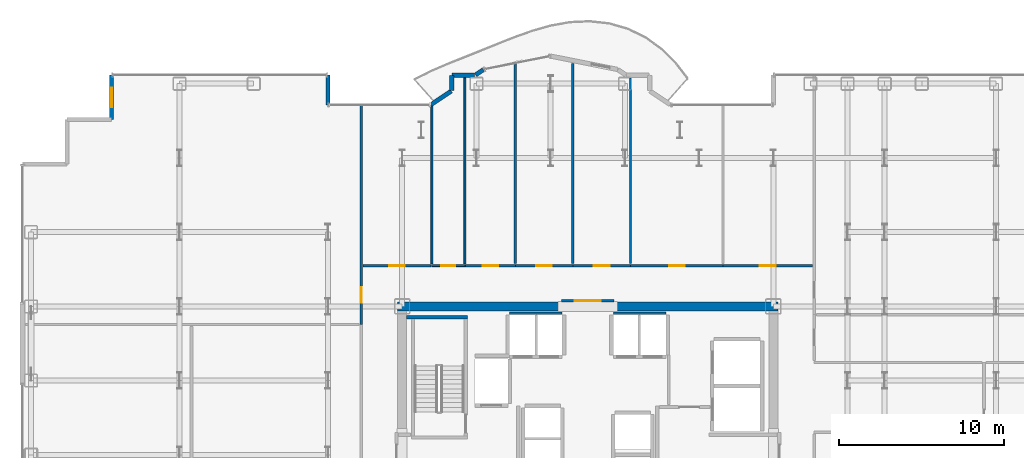
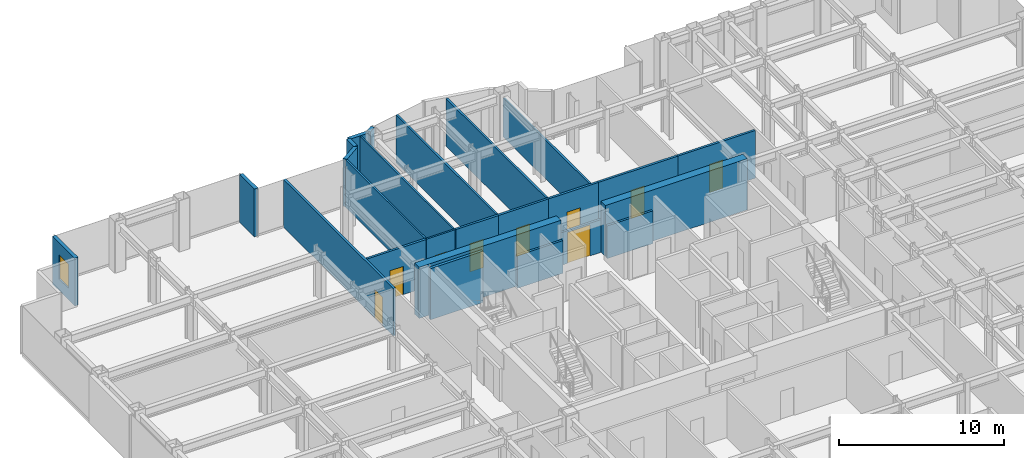
# One storey, part 26 of 29: 25 walls, 9 doors, 1 window, 10 openings.
"""IFC4 building model written with IfcOpenShell, lengths in metres."""

from ifc_helpers import new_model, si_unit, direction, frame, frame_2d, origin, place, context, subcontext, project, spatial, rectangle, extrude, source, transform, mapped, material, layer, layer_set, type_object, element, fill, save


model = new_model("IFC4")

# Units and contexts
model_context = context("Model", 3, precision=1e-05, world=origin(), true_north=direction((0.0, 1.0)))
body_context = subcontext(model_context, "Body", "Model", "MODEL_VIEW")
ifc_project = project(units=[si_unit("LENGTHUNIT", "METRE"), si_unit("AREAUNIT", "SQUARE_METRE"), si_unit("VOLUMEUNIT", "CUBIC_METRE"), si_unit("PLANEANGLEUNIT", "RADIAN"), si_unit("MASSUNIT", "GRAM", prefix="KILO")], contexts=[model_context])

# Site, building, storey
site_placement = place(None, origin())
site = spatial("IfcSite", under=ifc_project, at=site_placement, CompositionType="ELEMENT")
building_placement = place(site_placement, origin())
building = spatial("IfcBuilding", under=site, at=building_placement, Name="Nefas-Gora Pilgrimage Tower", CompositionType="ELEMENT")
storey_placement = place(building_placement, frame((0.0, 0.0, 136.39990234375)))
storey = spatial("IfcBuildingStorey", under=building, at=storey_placement, Name="L33", CompositionType="ELEMENT", Elevation=136.39990234375)

# Walls
ifc_material_1 = material(Name="Concrete C60/75", Category="concrete")
ifc_layer_1 = layer(ifc_material_1, 0.550048828125)
ifc_layer_set_1 = layer_set([ifc_layer_1], Name="Concrete C60/75")
wall_type_1 = type_object("IfcWallType", Name="SW-CORE-550", PredefinedType="SHEAR", material=ifc_layer_set_1)
shared_shape_1 = source(origin(), body_context, "Body", "SweptSolid", [
    extrude(rectangle(XDim=9.974853515625, YDim=0.550048828125, at=frame_2d((4.9873046875, 0.0))), origin(), (0.0, 0.0, 1.0), 3.800048828125),
])
for number, where, z_axis, x_axis, name in (
    (1, (-11.52490234375, 9.0, 0.0), (0.0, 0.0, 1.0), (1.0, 0.0, 0.0), "L33 Core Shear Wall N-West"),
    (2, (1.550048828125, 9.0, 0.0), (0.0, 0.0, 1.0), (1.0, 0.0, 0.0), "L33 Core Shear Wall N-East"),
):
    element("IfcWall", number, at=place(storey_placement, frame(where, z_axis=z_axis, x_axis=x_axis)), inside=storey, type_object=wall_type_1, Name=name, PredefinedType="SHEAR", context=body_context, shape_type="MappedRepresentation", body=[
        mapped(shared_shape_1, transform((0.0, 0.0, 0.0), x_axis=(1.0, 0.0, 0.0), y_axis=(0.0, 1.0, 0.0), z_axis=(0.0, 0.0, 1.0), scale=1.0)),
    ])
ifc_material_2 = material(Name="Precast concrete C40/50", Category="concrete")
ifc_layer_2 = layer(ifc_material_2, 0.260009765625)
ifc_layer_set_2 = layer_set([ifc_layer_2], Name="Precast concrete C40/50")
wall_type_2 = type_object("IfcWallType", Name="EW-PORTAL-260", PredefinedType="SOLIDWALL", material=ifc_layer_set_2)
shared_shape_2 = source(origin(), body_context, "Body", "SweptSolid", [
    extrude(rectangle(XDim=1.800048828125, YDim=0.260009765625, at=frame_2d((0.89990234375, 0.0))), origin(), (0.0, 0.0, 1.0), 3.550048828125),
])
wall_1_placement = place(storey_placement, frame((-15.75, 21.219970703125, 0.0), z_axis=(0.0, 0.0, 1.0), x_axis=(0.0, 1.0, 0.0)))
element("IfcWall", 3, at=wall_1_placement, inside=storey, type_object=wall_type_2, Name="L33 Lobe Shoulder Precast Spandrel Pier 24", PredefinedType="SOLIDWALL", context=body_context, shape_type="MappedRepresentation", body=[
    mapped(shared_shape_2, transform((0.0, 0.0, 0.0), x_axis=(1.0, 0.0, 0.0), y_axis=(0.0, 1.0, 0.0), z_axis=(0.0, 0.0, 1.0), scale=1.0)),
])

# Wall, opening, window
ifc_material_3 = material(Name="Precast concrete C45/55", Category="concrete")
ifc_layer_3 = layer(ifc_material_3, 0.239990234375)
ifc_layer_set_3 = layer_set([ifc_layer_3], Name="Precast concrete C45/55")
wall_type_3 = type_object("IfcWallType", Name="EW-SERR-240", PredefinedType="SHEAR", material=ifc_layer_set_3)
shared_shape_3 = source(origin(), body_context, "Body", "SweptSolid", [
    extrude(rectangle(XDim=2.699951171875, YDim=0.239990234375, at=frame_2d((1.35009765625, 0.0))), origin(), (0.0, 0.0, 1.0), 3.550048828125),
])
wall_2_placement = place(storey_placement, frame((-28.8701171875, 23.02001953125, 0.0), z_axis=(0.0, 0.0, 1.0), x_axis=(0.0, -1.0, 0.0)))
wall_2 = element("IfcWall", 4, at=wall_2_placement, inside=storey, type_object=wall_type_3, Name="L33 Serrated Corner Shear Pier Wall 25", PredefinedType="SHEAR", context=body_context, shape_type="MappedRepresentation", body=[
    mapped(shared_shape_3, transform((0.0, 0.0, 0.0), x_axis=(1.0, 0.0, 0.0), y_axis=(0.0, 1.0, 0.0), z_axis=(0.0, 0.0, 1.0), scale=1.0)),
])
opening_1_placement = place(wall_2_placement, frame((0.75, 0.0, 0.85009765625)))
opening_1 = element("IfcOpeningElement", 5, at=opening_1_placement, cuts=wall_2, Name="Opening W-V1", PredefinedType="OPENING", context=body_context, shape_type="SweptSolid", body=[
    extrude(rectangle(XDim=1.199951171875, YDim=1.800048828125, at=frame_2d((0.60009765625, 0.89990234375))), frame((0.0, 0.1298828125, 0.0), z_axis=(0.0, -1.0, 0.0), x_axis=(1.0, 0.0, 0.0)), (0.0, 0.0, 1.0), 0.260009765625),
])
ifc_material_4 = material(Name="Dark ceramic-fritted operable aluminium-glass window", Category="aluminium")
window_type = type_object("IfcWindowType", Name="WIN-VENT-1200x1800", PartitioningType="SINGLE_PANEL", PredefinedType="WINDOW", material=ifc_material_4)
shared_shape_4 = source(origin(), body_context, "Body", "SweptSolid", [
    extrude(rectangle(XDim=1.199951171875, YDim=1.800048828125, at=frame_2d((0.60009765625, 0.89990234375))), frame((0.0, 0.030029296875, 0.0), z_axis=(0.0, -1.0, 0.0), x_axis=(1.0, 0.0, 0.0)), (0.0, 0.0, 1.0), 0.06005859375),
])
window_placement = place(opening_1_placement, origin())
window = element("IfcWindow", 6, at=window_placement, inside=storey, type_object=window_type, Name="L33 Operable Parallel-Outswing Window 25", OverallHeight=1.800048828125, OverallWidth=1.199951171875, PartitioningType="SINGLE_PANEL", PredefinedType="WINDOW", context=body_context, shape_type="MappedRepresentation", body=[
    mapped(shared_shape_4, transform((0.0, 0.0, 0.0), x_axis=(1.0, 0.0, 0.0), y_axis=(0.0, 1.0, 0.0), z_axis=(0.0, 0.0, 1.0), scale=1.0)),
])
fill(opening_1, window)

# Walls
shared_shape_5 = source(origin(), body_context, "Body", "SweptSolid", [
    extrude(rectangle(XDim=1.468994140625, YDim=0.260009765625, at=frame_2d((0.734375, 0.0))), origin(), (0.0, 0.0, 1.0), 3.550048828125),
])
wall_3_placement = place(storey_placement, frame((-8.273193359375, 22.0517578125, 0.0), z_axis=(0.0, 0.0, 1.0), x_axis=(-0.831461760506, -0.555581983884, 0.0)))
element("IfcWall", 7, at=wall_3_placement, inside=storey, type_object=wall_type_2, Name="L33 Lobe Shoulder Precast Spandrel Pier 23", PredefinedType="SOLIDWALL", context=body_context, shape_type="MappedRepresentation", body=[
    mapped(shared_shape_5, transform((0.0, 0.0, 0.0), x_axis=(1.0, 0.0, 0.0), y_axis=(0.0, 1.0, 0.0), z_axis=(0.0, 0.0, 1.0), scale=1.0)),
])
shared_shape_6 = source(origin(), body_context, "Body", "SweptSolid", [
    extrude(rectangle(XDim=0.896728515625, YDim=0.260009765625, at=frame_2d((0.4482421875, 0.0))), origin(), (0.0, 0.0, 1.0), 3.550048828125),
])
wall_4_placement = place(storey_placement, frame((-8.25, 22.991943359375, 0.0), z_axis=(0.0, 0.0, 1.0), x_axis=(0.0, -1.0, 0.0)))
element("IfcWall", 8, at=wall_4_placement, inside=storey, type_object=wall_type_2, Name="L33 Lobe Shoulder Precast Spandrel Pier 22", PredefinedType="SOLIDWALL", context=body_context, shape_type="MappedRepresentation", body=[
    mapped(shared_shape_6, transform((0.0, 0.0, 0.0), x_axis=(1.0, 0.0, 0.0), y_axis=(0.0, 1.0, 0.0), z_axis=(0.0, 0.0, 1.0), scale=1.0)),
])
shared_shape_7 = source(origin(), body_context, "Body", "SweptSolid", [
    extrude(rectangle(XDim=1.369873046875, YDim=0.260009765625, at=frame_2d((0.68505859375, 0.0))), origin(), (0.0, 0.0, 1.0), 3.550048828125),
])
wall_5_placement = place(storey_placement, frame((-6.85205078125, 23.02001953125, 0.0), z_axis=(0.0, 0.0, 1.0), x_axis=(-1.0, 0.0, 0.0)))
element("IfcWall", 9, at=wall_5_placement, inside=storey, type_object=wall_type_2, Name="L33 Lobe Shoulder Precast Spandrel Pier 21", PredefinedType="SOLIDWALL", context=body_context, shape_type="MappedRepresentation", body=[
    mapped(shared_shape_7, transform((0.0, 0.0, 0.0), x_axis=(1.0, 0.0, 0.0), y_axis=(0.0, 1.0, 0.0), z_axis=(0.0, 0.0, 1.0), scale=1.0)),
])
shared_shape_8 = source(origin(), body_context, "Body", "SweptSolid", [
    extrude(rectangle(XDim=0.5654296875, YDim=0.260009765625, at=frame_2d((0.28271484375, 0.0))), origin(), (0.0, 0.0, 1.0), 3.550048828125),
])
wall_6_placement = place(storey_placement, frame((-6.33056640625, 23.349609375, 0.0), z_axis=(0.0, 0.0, 1.0), x_axis=(-0.831651492666, -0.555297933317, 0.0)))
element("IfcWall", 10, at=wall_6_placement, inside=storey, type_object=wall_type_2, Name="L33 Lobe Shoulder Precast Spandrel Pier 20", PredefinedType="SOLIDWALL", context=body_context, shape_type="MappedRepresentation", body=[
    mapped(shared_shape_8, transform((0.0, 0.0, 0.0), x_axis=(1.0, 0.0, 0.0), y_axis=(0.0, 1.0, 0.0), z_axis=(0.0, 0.0, 1.0), scale=1.0)),
])
ifc_material_5 = material(Name="Concrete C45/55", Category="concrete")
ifc_layer_4 = layer(ifc_material_5, 0.199951171875)
ifc_layer_set_4 = layer_set([ifc_layer_4], Name="Concrete C45/55")
wall_type_4 = type_object("IfcWallType", Name="IW-STAIR-200", PredefinedType="SOLIDWALL", material=ifc_layer_set_4)
shared_shape_9 = source(origin(), body_context, "Body", "SweptSolid", [
    extrude(rectangle(XDim=3.679931640625, YDim=0.199951171875, at=frame_2d((1.83984375, 0.0))), origin(), (0.0, 0.0, 1.0), 3.800048828125),
])
wall_7_placement = place(storey_placement, frame((-7.300048828125, 8.35009765625, 0.0), z_axis=(0.0, 0.0, 1.0), x_axis=(-1.0, 0.0, 0.0)))
element("IfcWall", 11, at=wall_7_placement, inside=storey, type_object=wall_type_4, Name="L33 Stairwell Shear Wall ST-01-far", PredefinedType="SOLIDWALL", context=body_context, shape_type="MappedRepresentation", body=[
    mapped(shared_shape_9, transform((0.0, 0.0, 0.0), x_axis=(1.0, 0.0, 0.0), y_axis=(0.0, 1.0, 0.0), z_axis=(0.0, 0.0, 1.0), scale=1.0)),
])
ifc_material_6 = material(Name="Gypsum acoustic stud partition")
ifc_layer_5 = layer(ifc_material_6, 0.159912109375)
ifc_layer_set_5 = layer_set([ifc_layer_5], Name="Gypsum acoustic stud partition")
wall_type_5 = type_object("IfcWallType", Name="IW-CORR-160", PredefinedType="PARTITIONING", material=ifc_layer_set_5)
shared_shape_10 = source(origin(), body_context, "Body", "SweptSolid", [
    extrude(rectangle(XDim=3.199951171875, YDim=0.159912109375, at=frame_2d((1.60009765625, 0.0))), origin(), (0.0, 0.0, 1.0), 2.425048828125),
])
for number, where, z_axis, x_axis, name in (
    (12, (-1.550048828125, 8.580078125, 0.0), (0.0, 0.0, 1.0), (-1.0, 0.0, 0.0), "L33 Hoistway Wall PL1-W-N"),
    (13, (4.75, 8.580078125, 0.0), (0.0, 0.0, 1.0), (-1.0, 0.0, 0.0), "L33 Hoistway Wall PL1-E-N"),
):
    element("IfcWall", number, at=place(storey_placement, frame(where, z_axis=z_axis, x_axis=x_axis)), inside=storey, type_object=wall_type_5, Name=name, PredefinedType="PARTITIONING", context=body_context, shape_type="MappedRepresentation", body=[
        mapped(shared_shape_10, transform((0.0, 0.0, 0.0), x_axis=(1.0, 0.0, 0.0), y_axis=(0.0, 1.0, 0.0), z_axis=(0.0, 0.0, 1.0), scale=1.0)),
    ])

# Wall, opening, door
ifc_material_7 = material(Name="Moisture-resistant fire-rated gypsum partition")
ifc_layer_6 = layer(ifc_material_7, 0.1201171875)
ifc_layer_set_6 = layer_set([ifc_layer_6], Name="Moisture-resistant fire-rated gypsum partition")
wall_type_6 = type_object("IfcWallType", Name="IW-WET-120", PredefinedType="PLUMBINGWALL", material=ifc_layer_set_6)
shared_shape_11 = source(origin(), body_context, "Body", "SweptSolid", [
    extrude(rectangle(XDim=2.02001953125, YDim=0.1201171875, at=frame_2d((1.010009765625, 0.0))), origin(), (0.0, 0.0, 1.0), 3.53515625),
])
wall_8_placement = place(storey_placement, frame((-9.4599609375, 11.469970703125, 0.0), z_axis=(0.0, 0.0, 1.0), x_axis=(1.0, 0.0, 0.0)))
wall_8 = element("IfcWall", 14, at=wall_8_placement, inside=storey, type_object=wall_type_6, Name="L33 Accessible Unisex WC Partition Wall 25", PredefinedType="PLUMBINGWALL", context=body_context, shape_type="MappedRepresentation", body=[
    mapped(shared_shape_11, transform((0.0, 0.0, 0.0), x_axis=(1.0, 0.0, 0.0), y_axis=(0.0, 1.0, 0.0), z_axis=(0.0, 0.0, 1.0), scale=1.0)),
])
opening_2_placement = place(wall_8_placement, frame((0.5849609375, 0.0, 0.0)))
opening_2 = element("IfcOpeningElement", 15, at=opening_2_placement, cuts=wall_8, Name="Opening ID-BT1", PredefinedType="OPENING", context=body_context, shape_type="SweptSolid", body=[
    extrude(rectangle(XDim=0.85009765625, YDim=2.10009765625, at=frame_2d((0.425048828125, 1.050048828125))), frame((0.0, 0.070068359375, 0.0), z_axis=(0.0, -1.0, 0.0), x_axis=(1.0, 0.0, 0.0)), (0.0, 0.0, 1.0), 0.14013671875),
])
ifc_material_8 = material(Name="Moisture-resistant fire-rated timber door", Category="wood")
door_type_1 = type_object("IfcDoorType", Name="DR-INT-BATH-850", OperationType="NOTDEFINED", PredefinedType="DOOR", material=ifc_material_8)
shared_shape_12 = source(origin(), body_context, "Body", "SweptSolid", [
    extrude(rectangle(XDim=0.85009765625, YDim=2.10009765625, at=frame_2d((0.425048828125, 1.050048828125))), frame((0.0, 0.02490234375, 0.0), z_axis=(0.0, -1.0, 0.0), x_axis=(1.0, 0.0, 0.0)), (0.0, 0.0, 1.0), 0.050048828125),
])
door_1_placement = place(opening_2_placement, origin())
door_1 = element("IfcDoor", 16, at=door_1_placement, inside=storey, type_object=door_type_1, Name="L33 Accessible Unisex WC Door 10", OperationType="SINGLE_SWING_RIGHT", OverallHeight=2.10009765625, OverallWidth=0.85009765625, PredefinedType="DOOR", context=body_context, shape_type="MappedRepresentation", body=[
    mapped(shared_shape_12, transform((0.0, 0.0, 0.0), x_axis=(1.0, 0.0, 0.0), y_axis=(0.0, 1.0, 0.0), z_axis=(0.0, 0.0, 1.0), scale=1.0)),
])
fill(opening_2, door_1)

# Walls
shared_shape_13 = source(origin(), body_context, "Body", "SweptSolid", [
    extrude(rectangle(XDim=11.280029296875, YDim=0.1201171875, at=frame_2d((5.64013671875, 0.0))), origin(), (0.0, 0.0, 1.0), 3.53515625),
])
wall_9_placement = place(storey_placement, frame((-7.449951171875, 11.570068359375, 0.0), z_axis=(0.0, 0.0, 1.0), x_axis=(0.0, 1.0, 0.0)))
element("IfcWall", 17, at=wall_9_placement, inside=storey, type_object=wall_type_6, Name="L33 Accessible Unisex WC Partition Wall 26", PredefinedType="PLUMBINGWALL", context=body_context, shape_type="MappedRepresentation", body=[
    mapped(shared_shape_13, transform((0.0, 0.0, 0.0), x_axis=(1.0, 0.0, 0.0), y_axis=(0.0, 1.0, 0.0), z_axis=(0.0, 0.0, 1.0), scale=1.0)),
])
shared_shape_14 = source(origin(), body_context, "Body", "SweptSolid", [
    extrude(rectangle(XDim=9.586669921875, YDim=0.1201171875, at=frame_2d((4.79345703125, 0.0))), origin(), (0.0, 0.0, 1.0), 3.53515625),
])
wall_10_placement = place(storey_placement, frame((-9.449951171875, 11.570068359375, 0.0), z_axis=(0.0, 0.0, 1.0), x_axis=(0.0, 1.0, 0.0)))
element("IfcWall", 18, at=wall_10_placement, inside=storey, type_object=wall_type_6, Name="L33 Accessible Unisex WC Partition Wall 27", PredefinedType="PLUMBINGWALL", context=body_context, shape_type="MappedRepresentation", body=[
    mapped(shared_shape_14, transform((0.0, 0.0, 0.0), x_axis=(1.0, 0.0, 0.0), y_axis=(0.0, 1.0, 0.0), z_axis=(0.0, 0.0, 1.0), scale=1.0)),
])

# Wall, opening, door
shared_shape_15 = source(origin(), body_context, "Body", "SweptSolid", [
    extrude(rectangle(XDim=4.125, YDim=0.159912109375, at=frame_2d((2.0625, 0.0))), origin(), (0.0, 0.0, 1.0), 3.53515625),
])
wall_11_placement = place(storey_placement, frame((-13.6201171875, 11.469970703125, 0.0), z_axis=(0.0, 0.0, 1.0), x_axis=(1.0, 0.0, 0.0)))
wall_11 = element("IfcWall", 19, at=wall_11_placement, inside=storey, type_object=wall_type_5, Name="L33 Pilgrim Contemplative Lounge Partition Wall 49", PredefinedType="PARTITIONING", context=body_context, shape_type="MappedRepresentation", body=[
    mapped(shared_shape_15, transform((0.0, 0.0, 0.0), x_axis=(1.0, 0.0, 0.0), y_axis=(0.0, 1.0, 0.0), z_axis=(0.0, 0.0, 1.0), scale=1.0)),
])
opening_3_placement = place(wall_11_placement, frame((1.58740234375, 0.0, 0.0)))
opening_3 = element("IfcOpeningElement", 20, at=opening_3_placement, cuts=wall_11, Name="Opening ID-GR1", PredefinedType="OPENING", context=body_context, shape_type="SweptSolid", body=[
    extrude(rectangle(XDim=0.949951171875, YDim=2.10009765625, at=frame_2d((0.47509765625, 1.050048828125))), frame((0.0, 0.08984375, 0.0), z_axis=(0.0, -1.0, 0.0), x_axis=(1.0, 0.0, 0.0)), (0.0, 0.0, 1.0), 0.179931640625),
])
ifc_material_9 = material(Name="Solid core oak fire-rated guest entrance door")
door_type_2 = type_object("IfcDoorType", Name="DR-INT-GUEST-950", OperationType="NOTDEFINED", PredefinedType="DOOR", material=ifc_material_9)
shared_shape_16 = source(origin(), body_context, "Body", "SweptSolid", [
    extrude(rectangle(XDim=0.949951171875, YDim=2.10009765625, at=frame_2d((0.47509765625, 1.050048828125))), frame((0.0, 0.02490234375, 0.0), z_axis=(0.0, -1.0, 0.0), x_axis=(1.0, 0.0, 0.0)), (0.0, 0.0, 1.0), 0.050048828125),
])
door_2_placement = place(opening_3_placement, origin())
door_2 = element("IfcDoor", 21, at=door_2_placement, inside=storey, type_object=door_type_2, Name="L33 Pilgrim Contemplative Lounge Door 22", OperationType="SINGLE_SWING_RIGHT", OverallHeight=2.10009765625, OverallWidth=0.949951171875, PredefinedType="DOOR", context=body_context, shape_type="MappedRepresentation", body=[
    mapped(shared_shape_16, transform((0.0, 0.0, 0.0), x_axis=(1.0, 0.0, 0.0), y_axis=(0.0, 1.0, 0.0), z_axis=(0.0, 0.0, 1.0), scale=1.0)),
])
fill(opening_3, door_2)

shared_shape_17 = source(origin(), body_context, "Body", "SweptSolid", [
    extrude(rectangle(XDim=3.505126953125, YDim=0.159912109375, at=frame_2d((1.75244140625, 0.0))), origin(), (0.0, 0.0, 1.0), 3.53515625),
])
wall_12_placement = place(storey_placement, frame((-4.405029296875, 11.469970703125, 0.0), z_axis=(0.0, 0.0, 1.0), x_axis=(1.0, 0.0, 0.0)))
wall_12 = element("IfcWall", 22, at=wall_12_placement, inside=storey, type_object=wall_type_5, Name="L33 Pilgrim Contemplative Lounge Partition Wall 52", PredefinedType="PARTITIONING", context=body_context, shape_type="MappedRepresentation", body=[
    mapped(shared_shape_17, transform((0.0, 0.0, 0.0), x_axis=(1.0, 0.0, 0.0), y_axis=(0.0, 1.0, 0.0), z_axis=(0.0, 0.0, 1.0), scale=1.0)),
])
opening_4_placement = place(wall_12_placement, frame((1.277587890625, 0.0, 0.0)))
opening_4 = element("IfcOpeningElement", 23, at=opening_4_placement, cuts=wall_12, Name="Opening ID-GR1", PredefinedType="OPENING", context=body_context, shape_type="SweptSolid", body=[
    extrude(rectangle(XDim=0.949951171875, YDim=2.10009765625, at=frame_2d((0.47509765625, 1.050048828125))), frame((0.0, 0.08984375, 0.0), z_axis=(0.0, -1.0, 0.0), x_axis=(1.0, 0.0, 0.0)), (0.0, 0.0, 1.0), 0.179931640625),
])
door_3_placement = place(opening_4_placement, origin())
door_3 = element("IfcDoor", 24, at=door_3_placement, inside=storey, type_object=door_type_2, Name="L33 Pilgrim Contemplative Lounge Door 24", OperationType="SINGLE_SWING_RIGHT", OverallHeight=2.10009765625, OverallWidth=0.949951171875, PredefinedType="DOOR", context=body_context, shape_type="MappedRepresentation", body=[
    mapped(shared_shape_16, transform((0.0, 0.0, 0.0), x_axis=(1.0, 0.0, 0.0), y_axis=(0.0, 1.0, 0.0), z_axis=(0.0, 0.0, 1.0), scale=1.0)),
])
fill(opening_4, door_3)

shared_shape_18 = source(origin(), body_context, "Body", "SweptSolid", [
    extrude(rectangle(XDim=3.5048828125, YDim=0.159912109375, at=frame_2d((1.75244140625, 0.0))), origin(), (0.0, 0.0, 1.0), 3.53515625),
])
wall_13_placement = place(storey_placement, frame((-0.89990234375, 11.469970703125, 0.0), z_axis=(0.0, 0.0, 1.0), x_axis=(1.0, 0.0, 0.0)))
wall_13 = element("IfcWall", 25, at=wall_13_placement, inside=storey, type_object=wall_type_5, Name="L33 Pilgrim Contemplative Lounge Partition Wall 54", PredefinedType="PARTITIONING", context=body_context, shape_type="MappedRepresentation", body=[
    mapped(shared_shape_18, transform((0.0, 0.0, 0.0), x_axis=(1.0, 0.0, 0.0), y_axis=(0.0, 1.0, 0.0), z_axis=(0.0, 0.0, 1.0), scale=1.0)),
])
opening_5_placement = place(wall_13_placement, frame((1.277587890625, 0.0, 0.0)))
opening_5 = element("IfcOpeningElement", 26, at=opening_5_placement, cuts=wall_13, Name="Opening ID-GR1", PredefinedType="OPENING", context=body_context, shape_type="SweptSolid", body=[
    extrude(rectangle(XDim=0.949951171875, YDim=2.10009765625, at=frame_2d((0.47509765625, 1.050048828125))), frame((0.0, 0.08984375, 0.0), z_axis=(0.0, -1.0, 0.0), x_axis=(1.0, 0.0, 0.0)), (0.0, 0.0, 1.0), 0.179931640625),
])
door_4_placement = place(opening_5_placement, origin())
door_4 = element("IfcDoor", 27, at=door_4_placement, inside=storey, type_object=door_type_2, Name="L33 Pilgrim Contemplative Lounge Door 25", OperationType="SINGLE_SWING_LEFT", OverallHeight=2.10009765625, OverallWidth=0.949951171875, PredefinedType="DOOR", context=body_context, shape_type="MappedRepresentation", body=[
    mapped(shared_shape_16, transform((0.0, 0.0, 0.0), x_axis=(1.0, 0.0, 0.0), y_axis=(0.0, 1.0, 0.0), z_axis=(0.0, 0.0, 1.0), scale=1.0)),
])
fill(opening_5, door_4)

shared_shape_19 = source(origin(), body_context, "Body", "SweptSolid", [
    extrude(rectangle(XDim=3.16015625, YDim=0.159912109375, at=frame_2d((1.580078125, 0.0))), origin(), (0.0, 0.0, 1.0), 2.425048828125),
])
wall_14_placement = place(storey_placement, frame((-1.580078125, 9.35009765625, 0.0), z_axis=(0.0, 0.0, 1.0), x_axis=(1.0, 0.0, 0.0)))
wall_14 = element("IfcWall", 28, at=wall_14_placement, inside=storey, type_object=wall_type_5, Name="L33 Central Lift Lobby North Portal Wall 13", PredefinedType="PARTITIONING", context=body_context, shape_type="MappedRepresentation", body=[
    mapped(shared_shape_19, transform((0.0, 0.0, 0.0), x_axis=(1.0, 0.0, 0.0), y_axis=(0.0, 1.0, 0.0), z_axis=(0.0, 0.0, 1.0), scale=1.0)),
])
opening_6_placement = place(wall_14_placement, frame((0.780029296875, 0.0, 0.0)))
opening_6 = element("IfcOpeningElement", 29, at=opening_6_placement, cuts=wall_14, Name="Opening ID-HL1", PredefinedType="OPENING", context=body_context, shape_type="SweptSolid", body=[
    extrude(rectangle(XDim=1.60009765625, YDim=2.300048828125, at=frame_2d((0.800048828125, 1.14990234375))), frame((0.0, 0.08984375, 0.0), z_axis=(0.0, -1.0, 0.0), x_axis=(1.0, 0.0, 0.0)), (0.0, 0.0, 1.0), 0.179931640625),
])
ifc_material_10 = material(Name="Double acoustic timber assembly hall door", Category="wood")
door_type_3 = type_object("IfcDoorType", Name="DR-INT-HALL-1600", OperationType="DOUBLE_DOOR_SINGLE_SWING", PredefinedType="DOOR", material=ifc_material_10)
shared_shape_20 = source(origin(), body_context, "Body", "SweptSolid", [
    extrude(rectangle(XDim=1.60009765625, YDim=2.300048828125, at=frame_2d((0.800048828125, 1.14990234375))), frame((0.0, 0.02490234375, 0.0), z_axis=(0.0, -1.0, 0.0), x_axis=(1.0, 0.0, 0.0)), (0.0, 0.0, 1.0), 0.050048828125),
])
door_5_placement = place(opening_6_placement, origin())
door_5 = element("IfcDoor", 30, at=door_5_placement, inside=storey, type_object=door_type_3, Name="L33 Central Lift Lobby North Portal Door 4", OperationType="DOUBLE_DOOR_SINGLE_SWING", OverallHeight=2.300048828125, OverallWidth=1.60009765625, PredefinedType="DOOR", context=body_context, shape_type="MappedRepresentation", body=[
    mapped(shared_shape_20, transform((0.0, 0.0, 0.0), x_axis=(1.0, 0.0, 0.0), y_axis=(0.0, 1.0, 0.0), z_axis=(0.0, 0.0, 1.0), scale=1.0)),
])
fill(opening_6, door_5)

shared_shape_21 = source(origin(), body_context, "Body", "SweptSolid", [
    extrude(rectangle(XDim=5.610107421875, YDim=0.159912109375, at=frame_2d((2.80517578125, 0.0))), origin(), (0.0, 0.0, 1.0), 3.53515625),
])
wall_15_placement = place(storey_placement, frame((2.594970703125, 11.469970703125, 0.0), z_axis=(0.0, 0.0, 1.0), x_axis=(1.0, 0.0, 0.0)))
wall_15 = element("IfcWall", 31, at=wall_15_placement, inside=storey, type_object=wall_type_5, Name="L33 Pilgrim Contemplative Lounge Partition Wall 56", PredefinedType="PARTITIONING", context=body_context, shape_type="MappedRepresentation", body=[
    mapped(shared_shape_21, transform((0.0, 0.0, 0.0), x_axis=(1.0, 0.0, 0.0), y_axis=(0.0, 1.0, 0.0), z_axis=(0.0, 0.0, 1.0), scale=1.0)),
])
opening_7_placement = place(wall_15_placement, frame((2.330078125, 0.0, 0.0)))
opening_7 = element("IfcOpeningElement", 32, at=opening_7_placement, cuts=wall_15, Name="Opening ID-GR1", PredefinedType="OPENING", context=body_context, shape_type="SweptSolid", body=[
    extrude(rectangle(XDim=0.949951171875, YDim=2.10009765625, at=frame_2d((0.47509765625, 1.050048828125))), frame((0.0, 0.08984375, 0.0), z_axis=(0.0, -1.0, 0.0), x_axis=(1.0, 0.0, 0.0)), (0.0, 0.0, 1.0), 0.179931640625),
])
door_6_placement = place(opening_7_placement, origin())
door_6 = element("IfcDoor", 33, at=door_6_placement, inside=storey, type_object=door_type_2, Name="L33 Pilgrim Contemplative Lounge Door 26", OperationType="SINGLE_SWING_RIGHT", OverallHeight=2.10009765625, OverallWidth=0.949951171875, PredefinedType="DOOR", context=body_context, shape_type="MappedRepresentation", body=[
    mapped(shared_shape_16, transform((0.0, 0.0, 0.0), x_axis=(1.0, 0.0, 0.0), y_axis=(0.0, 1.0, 0.0), z_axis=(0.0, 0.0, 1.0), scale=1.0)),
])
fill(opening_7, door_6)

shared_shape_22 = source(origin(), body_context, "Body", "SweptSolid", [
    extrude(rectangle(XDim=5.425048828125, YDim=0.159912109375, at=frame_2d((2.71240234375, 0.0))), origin(), (0.0, 0.0, 1.0), 3.53515625),
])
wall_16_placement = place(storey_placement, frame((8.195068359375, 11.469970703125, 0.0), z_axis=(0.0, 0.0, 1.0), x_axis=(1.0, 0.0, 0.0)))
wall_16 = element("IfcWall", 34, at=wall_16_placement, inside=storey, type_object=wall_type_5, Name="L33 Pilgrim Contemplative Lounge Partition Wall 58", PredefinedType="PARTITIONING", context=body_context, shape_type="MappedRepresentation", body=[
    mapped(shared_shape_22, transform((0.0, 0.0, 0.0), x_axis=(1.0, 0.0, 0.0), y_axis=(0.0, 1.0, 0.0), z_axis=(0.0, 0.0, 1.0), scale=1.0)),
])
opening_8_placement = place(wall_16_placement, frame((2.237548828125, 0.0, 0.0)))
opening_8 = element("IfcOpeningElement", 35, at=opening_8_placement, cuts=wall_16, Name="Opening ID-GR1", PredefinedType="OPENING", context=body_context, shape_type="SweptSolid", body=[
    extrude(rectangle(XDim=0.949951171875, YDim=2.10009765625, at=frame_2d((0.47509765625, 1.050048828125))), frame((0.0, 0.08984375, 0.0), z_axis=(0.0, -1.0, 0.0), x_axis=(1.0, 0.0, 0.0)), (0.0, 0.0, 1.0), 0.179931640625),
])
door_7_placement = place(opening_8_placement, origin())
door_7 = element("IfcDoor", 36, at=door_7_placement, inside=storey, type_object=door_type_2, Name="L33 Pilgrim Contemplative Lounge Door 27", OperationType="SINGLE_SWING_LEFT", OverallHeight=2.10009765625, OverallWidth=0.949951171875, PredefinedType="DOOR", context=body_context, shape_type="MappedRepresentation", body=[
    mapped(shared_shape_16, transform((0.0, 0.0, 0.0), x_axis=(1.0, 0.0, 0.0), y_axis=(0.0, 1.0, 0.0), z_axis=(0.0, 0.0, 1.0), scale=1.0)),
])
fill(opening_8, door_7)

shared_shape_23 = source(origin(), body_context, "Body", "SweptSolid", [
    extrude(rectangle(XDim=13.3525390625, YDim=0.159912109375, at=frame_2d((6.67626953125, 0.0))), origin(), (0.0, 0.0, 1.0), 3.53515625),
])
wall_17_placement = place(storey_placement, frame((-13.739990234375, 7.887451171875, 0.0), z_axis=(0.0, 0.0, 1.0), x_axis=(0.0, 1.0, 0.0)))
wall_17 = element("IfcWall", 37, at=wall_17_placement, inside=storey, type_object=wall_type_5, Name="L33 Pilgrim Devotional Prayer Gallery Partition Wall 30", PredefinedType="PARTITIONING", context=body_context, shape_type="MappedRepresentation", body=[
    mapped(shared_shape_23, transform((0.0, 0.0, 0.0), x_axis=(1.0, 0.0, 0.0), y_axis=(0.0, 1.0, 0.0), z_axis=(0.0, 0.0, 1.0), scale=1.0)),
])
opening_9_placement = place(wall_17_placement, frame((1.336181640625, 0.0, 0.0)))
opening_9 = element("IfcOpeningElement", 38, at=opening_9_placement, cuts=wall_17, Name="Opening ID-GR1", PredefinedType="OPENING", context=body_context, shape_type="SweptSolid", body=[
    extrude(rectangle(XDim=0.949951171875, YDim=2.10009765625, at=frame_2d((0.47509765625, 1.050048828125))), frame((0.0, 0.08984375, 0.0), z_axis=(0.0, -1.0, 0.0), x_axis=(1.0, 0.0, 0.0)), (0.0, 0.0, 1.0), 0.179931640625),
])
door_8_placement = place(opening_9_placement, origin())
door_8 = element("IfcDoor", 39, at=door_8_placement, inside=storey, type_object=door_type_2, Name="L33 Pilgrim Devotional Prayer Gallery Door 12", OperationType="SINGLE_SWING_RIGHT", OverallHeight=2.10009765625, OverallWidth=0.949951171875, PredefinedType="DOOR", context=body_context, shape_type="MappedRepresentation", body=[
    mapped(shared_shape_16, transform((0.0, 0.0, 0.0), x_axis=(1.0, 0.0, 0.0), y_axis=(0.0, 1.0, 0.0), z_axis=(0.0, 0.0, 1.0), scale=1.0)),
])
fill(opening_9, door_8)

shared_shape_24 = source(origin(), body_context, "Body", "SweptSolid", [
    extrude(rectangle(XDim=3.010009765625, YDim=0.159912109375, at=frame_2d((1.5048828125, 0.0))), origin(), (0.0, 0.0, 1.0), 3.53515625),
])
wall_18_placement = place(storey_placement, frame((-7.405029296875, 11.469970703125, 0.0), z_axis=(0.0, 0.0, 1.0), x_axis=(1.0, 0.0, 0.0)))
wall_18 = element("IfcWall", 40, at=wall_18_placement, inside=storey, type_object=wall_type_5, Name="L33 Pilgrim Contemplative Lounge Partition Wall 50", PredefinedType="PARTITIONING", context=body_context, shape_type="MappedRepresentation", body=[
    mapped(shared_shape_24, transform((0.0, 0.0, 0.0), x_axis=(1.0, 0.0, 0.0), y_axis=(0.0, 1.0, 0.0), z_axis=(0.0, 0.0, 1.0), scale=1.0)),
])
opening_10_placement = place(wall_18_placement, frame((1.030029296875, 0.0, 0.0)))
opening_10 = element("IfcOpeningElement", 41, at=opening_10_placement, cuts=wall_18, Name="Opening ID-GR1", PredefinedType="OPENING", context=body_context, shape_type="SweptSolid", body=[
    extrude(rectangle(XDim=0.949951171875, YDim=2.10009765625, at=frame_2d((0.47509765625, 1.050048828125))), frame((0.0, 0.08984375, 0.0), z_axis=(0.0, -1.0, 0.0), x_axis=(1.0, 0.0, 0.0)), (0.0, 0.0, 1.0), 0.179931640625),
])
door_9_placement = place(opening_10_placement, origin())
door_9 = element("IfcDoor", 42, at=door_9_placement, inside=storey, type_object=door_type_2, Name="L33 Pilgrim Contemplative Lounge Door 23", OperationType="SINGLE_SWING_LEFT", OverallHeight=2.10009765625, OverallWidth=0.949951171875, PredefinedType="DOOR", context=body_context, shape_type="MappedRepresentation", body=[
    mapped(shared_shape_16, transform((0.0, 0.0, 0.0), x_axis=(1.0, 0.0, 0.0), y_axis=(0.0, 1.0, 0.0), z_axis=(0.0, 0.0, 1.0), scale=1.0)),
])
fill(opening_10, door_9)

# Walls
ifc_material_11 = material(Name="Gypsum twin-stud partition")
ifc_layer_7 = layer(ifc_material_11, 0.139892578125)
ifc_layer_set_7 = layer_set([ifc_layer_7], Name="Gypsum twin-stud partition")
wall_type_7 = type_object("IfcWallType", Name="IW-UNIT-140", PredefinedType="PARTITIONING", material=ifc_layer_set_7)
shared_shape_25 = source(origin(), body_context, "Body", "SweptSolid", [
    extrude(rectangle(XDim=12.176025390625, YDim=0.139892578125, at=frame_2d((6.087890625, 0.0))), origin(), (0.0, 0.0, 1.0), 3.53515625),
])
wall_19_placement = place(storey_placement, frame((-4.405029296875, 11.590087890625, 0.0), z_axis=(0.0, 0.0, 1.0), x_axis=(0.0, 1.0, 0.0)))
element("IfcWall", 43, at=wall_19_placement, inside=storey, type_object=wall_type_7, Name="L33 Pilgrim Contemplative Lounge Partition Wall 51", PredefinedType="PARTITIONING", context=body_context, shape_type="MappedRepresentation", body=[
    mapped(shared_shape_25, transform((0.0, 0.0, 0.0), x_axis=(1.0, 0.0, 0.0), y_axis=(0.0, 1.0, 0.0), z_axis=(0.0, 0.0, 1.0), scale=1.0)),
])
shared_shape_26 = source(origin(), body_context, "Body", "SweptSolid", [
    extrude(rectangle(XDim=12.142578125, YDim=0.139892578125, at=frame_2d((6.0712890625, 0.0))), origin(), (0.0, 0.0, 1.0), 3.53515625),
])
wall_20_placement = place(storey_placement, frame((-0.909912109375, 11.590087890625, 0.0), z_axis=(0.0, 0.0, 1.0), x_axis=(0.0, 1.0, 0.0)))
element("IfcWall", 44, at=wall_20_placement, inside=storey, type_object=wall_type_7, Name="L33 Pilgrim Contemplative Lounge Partition Wall 53", PredefinedType="PARTITIONING", context=body_context, shape_type="MappedRepresentation", body=[
    mapped(shared_shape_26, transform((0.0, 0.0, 0.0), x_axis=(1.0, 0.0, 0.0), y_axis=(0.0, 1.0, 0.0), z_axis=(0.0, 0.0, 1.0), scale=1.0)),
])
shared_shape_27 = source(origin(), body_context, "Body", "SweptSolid", [
    extrude(rectangle(XDim=11.260009765625, YDim=0.139892578125, at=frame_2d((5.6298828125, 0.0))), origin(), (0.0, 0.0, 1.0), 2.875),
])
wall_21_placement = place(storey_placement, frame((2.594970703125, 11.590087890625, 0.0), z_axis=(0.0, 0.0, 1.0), x_axis=(0.0, 1.0, 0.0)))
element("IfcWall", 45, at=wall_21_placement, inside=storey, type_object=wall_type_7, Name="L33 Pilgrim Contemplative Lounge Partition Wall 55", PredefinedType="PARTITIONING", context=body_context, shape_type="MappedRepresentation", body=[
    mapped(shared_shape_27, transform((0.0, 0.0, 0.0), x_axis=(1.0, 0.0, 0.0), y_axis=(0.0, 1.0, 0.0), z_axis=(0.0, 0.0, 1.0), scale=1.0)),
])

save(model, "model.ifc")
